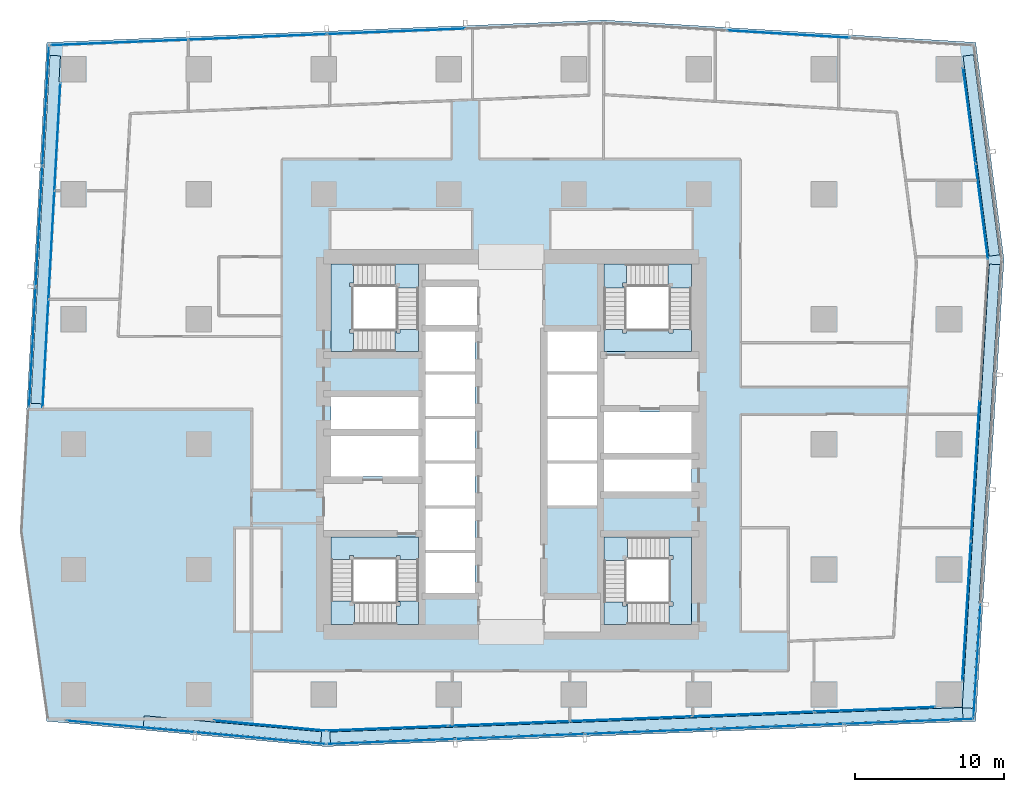
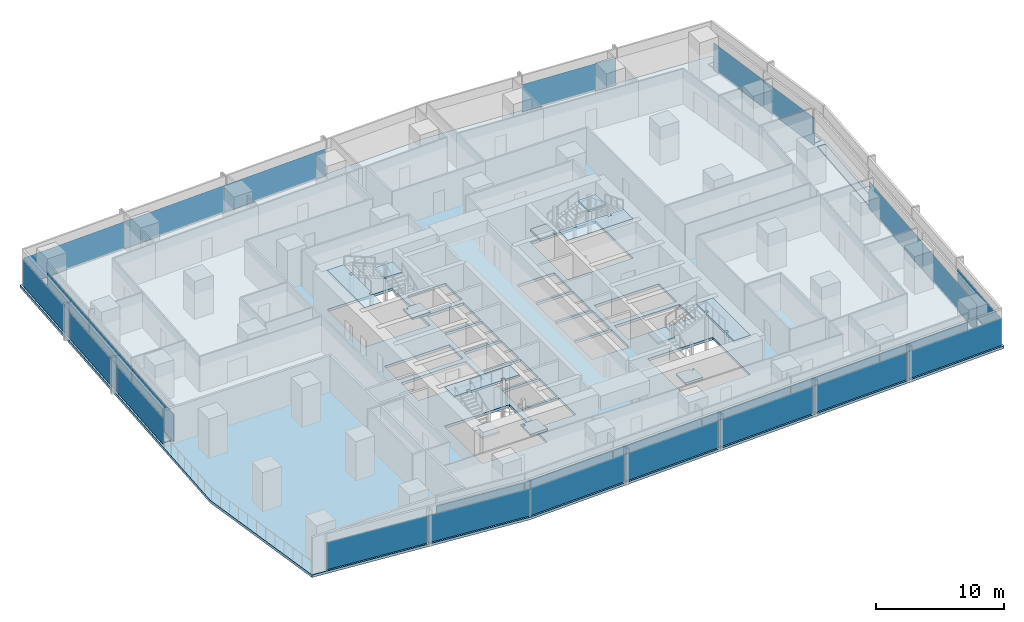
# One storey, part 25 of 38: 33 plates, 13 slabs, 15 elements without a shape of their own.
"""IFC4 building model written with IfcOpenShell, lengths in metres."""

from ifc_helpers import new_model, si_unit, direction, frame, origin, origin_2d, place, context, subcontext, project, spatial, polyline, rectangle, outline, extrude, material, layer, layer_set, type_object, element, aggregate, save


model = new_model("IFC4")

# Units and contexts
model_context = context("Model", 3, precision=1e-05, world=origin(), true_north=direction((0.0, 1.0)))
body_context = subcontext(model_context, "Body", "Model", "MODEL_VIEW")
ifc_project = project(units=[si_unit("LENGTHUNIT", "METRE"), si_unit("AREAUNIT", "SQUARE_METRE"), si_unit("VOLUMEUNIT", "CUBIC_METRE"), si_unit("PLANEANGLEUNIT", "RADIAN"), si_unit("MASSUNIT", "GRAM", prefix="KILO")], contexts=[model_context])

# Site, building, storey
site_placement = place(None, origin())
site = spatial("IfcSite", under=ifc_project, at=site_placement, CompositionType="ELEMENT")
building_placement = place(site_placement, origin())
building = spatial("IfcBuilding", under=site, at=building_placement, Name="Rekha Terrace Tower", CompositionType="ELEMENT")
storey_placement = place(building_placement, frame((0.0, 0.0, 114.050048828125)))
storey = spatial("IfcBuildingStorey", under=building, at=storey_placement, Name="L28", CompositionType="ELEMENT", Elevation=114.050048828125)

# Curtain wall, plate
ifc_material_1 = material(Name="Aluminium framing", Category="aluminium")
curtain_wall_type_1 = type_object("IfcCurtainWallType", Name="CW1 double skin inner glazing", PredefinedType="USERDEFINED", material=ifc_material_1)
curtain_wall_1_placement = place(storey_placement, origin())
curtain_wall_1 = element("IfcCurtainWall", 1, at=curtain_wall_1_placement, inside=storey, type_object=curtain_wall_type_1, Name="CW1 double skin inner glazing", ObjectType="DOUBLE SKIN INNER GLAZING", PredefinedType="USERDEFINED")
ifc_material_2 = material(Name="Double-glazed low-e unit 32", Category="glass")
ifc_layer_1 = layer(ifc_material_2, 0.031982421875)
ifc_layer_set_1 = layer_set([ifc_layer_1], Name="Double-glazed low-e unit 32")
plate_type_1 = type_object("IfcPlateType", Name="CW1 jumbo vision panel, double-glazed low-e unit 32", PredefinedType="CURTAIN_PANEL", material=ifc_layer_set_1)
plate_1_placement = place(storey_placement, frame((21.60205078125, 14.701904296875, 0.0), z_axis=(0.0, 0.0, 1.0), x_axis=(0.995901923143, -0.090439811364, 0.0)))
plate_1 = element("IfcPlate", 2, at=plate_1_placement, type_object=plate_type_1, Name="CW1 panel 1.1", PredefinedType="CURTAIN_PANEL", context=body_context, shape_type="SweptSolid", body=[
    extrude(rectangle(XDim=7.521484375, YDim=0.031982421875, at=origin_2d()), origin(), (0.0, 0.0, 1.0), 2.60009765625),
])
aggregate(curtain_wall_1, [plate_1])

# Curtain wall, plates
curtain_wall_2_placement = place(storey_placement, origin())
curtain_wall_2 = element("IfcCurtainWall", 3, at=curtain_wall_2_placement, inside=storey, type_object=curtain_wall_type_1, Name="CW1 double skin inner glazing", ObjectType="DOUBLE SKIN INNER GLAZING", PredefinedType="USERDEFINED")
plate_2_placement = place(storey_placement, frame((29.4619140625, 14.52197265625, 0.0), z_axis=(0.0, 0.0, 1.0), x_axis=(0.999243498917, 0.038889971345, 0.0)))
plate_2 = element("IfcPlate", 4, at=plate_2_placement, type_object=plate_type_1, Name="CW1 panel 1.1", PredefinedType="CURTAIN_PANEL", context=body_context, shape_type="SweptSolid", body=[
    extrude(rectangle(XDim=8.105224609375, YDim=0.031982421875, at=origin_2d()), origin(), (0.0, 0.0, 1.0), 2.60009765625),
])
plate_3_placement = place(storey_placement, frame((37.64208984375, 14.84033203125, 0.0), z_axis=(0.0, 0.0, 1.0), x_axis=(0.999243498917, 0.038889971345, 0.0)))
plate_3 = element("IfcPlate", 5, at=plate_3_placement, type_object=plate_type_1, Name="CW1 panel 2.1", PredefinedType="CURTAIN_PANEL", context=body_context, shape_type="SweptSolid", body=[
    extrude(rectangle(XDim=8.1376953125, YDim=0.031982421875, at=origin_2d()), origin(), (0.0, 0.0, 1.0), 2.60009765625),
])
plate_4_placement = place(storey_placement, frame((45.838623046875, 15.159423828125, 0.0), z_axis=(0.0, 0.0, 1.0), x_axis=(0.999243498917, 0.038889971345, 0.0)))
plate_4 = element("IfcPlate", 6, at=plate_4_placement, type_object=plate_type_1, Name="CW1 panel 3.1", PredefinedType="CURTAIN_PANEL", context=body_context, shape_type="SweptSolid", body=[
    extrude(rectangle(XDim=8.1376953125, YDim=0.031982421875, at=origin_2d()), origin(), (0.0, 0.0, 1.0), 2.60009765625),
])
plate_5_placement = place(storey_placement, frame((54.034912109375, 15.478271484375, 0.0), z_axis=(0.0, 0.0, 1.0), x_axis=(0.999243498917, 0.038889971345, 0.0)))
plate_5 = element("IfcPlate", 7, at=plate_5_placement, type_object=plate_type_1, Name="CW1 panel 4.1", PredefinedType="CURTAIN_PANEL", context=body_context, shape_type="SweptSolid", body=[
    extrude(rectangle(XDim=8.1376953125, YDim=0.031982421875, at=origin_2d()), origin(), (0.0, 0.0, 1.0), 2.60009765625),
])
plate_6_placement = place(storey_placement, frame((62.21533203125, 15.796630859375, 0.0), z_axis=(0.0, 0.0, 1.0), x_axis=(0.999243498917, 0.038889971345, 0.0)))
plate_6 = element("IfcPlate", 8, at=plate_6_placement, type_object=plate_type_1, Name="CW1 panel 5.1", PredefinedType="CURTAIN_PANEL", context=body_context, shape_type="SweptSolid", body=[
    extrude(rectangle(XDim=8.105224609375, YDim=0.031982421875, at=origin_2d()), origin(), (0.0, 0.0, 1.0), 2.60009765625),
])
aggregate(curtain_wall_2, [plate_2, plate_3, plate_4, plate_5, plate_6])

curtain_wall_3_placement = place(storey_placement, origin())
curtain_wall_3 = element("IfcCurtainWall", 9, at=curtain_wall_3_placement, inside=storey, type_object=curtain_wall_type_1, Name="CW1 double skin inner glazing", ObjectType="DOUBLE SKIN INNER GLAZING", PredefinedType="USERDEFINED")
plate_7_placement = place(storey_placement, frame((68.391357421875, 22.400634765625, 0.0), z_axis=(0.0, 0.0, 1.0), x_axis=(0.061159803131, 0.998127987024, 0.0)))
plate_7 = element("IfcPlate", 10, at=plate_7_placement, type_object=plate_type_1, Name="CW1 panel 1.1", PredefinedType="CURTAIN_PANEL", context=body_context, shape_type="SweptSolid", body=[
    extrude(rectangle(XDim=9.355224609375, YDim=0.031982421875, at=origin_2d()), origin(), (0.0, 0.0, 1.0), 2.60009765625),
])
plate_8_placement = place(storey_placement, frame((68.968505859375, 31.8193359375, 0.0), z_axis=(0.0, 0.0, 1.0), x_axis=(0.061159803131, 0.998127987024, 0.0)))
plate_8 = element("IfcPlate", 11, at=plate_8_placement, type_object=plate_type_1, Name="CW1 panel 2.1", PredefinedType="CURTAIN_PANEL", context=body_context, shape_type="SweptSolid", body=[
    extrude(rectangle(XDim=9.3876953125, YDim=0.031982421875, at=origin_2d()), origin(), (0.0, 0.0, 1.0), 2.60009765625),
])
aggregate(curtain_wall_3, [plate_7, plate_8])

curtain_wall_4_placement = place(storey_placement, origin())
curtain_wall_4 = element("IfcCurtainWall", 12, at=curtain_wall_4_placement, inside=storey, type_object=curtain_wall_type_1, Name="CW1 double skin inner glazing", ObjectType="DOUBLE SKIN INNER GLAZING", PredefinedType="USERDEFINED")
plate_9_placement = place(storey_placement, frame((69.411376953125, 49.230712890625, 0.0), z_axis=(0.0, 0.0, 1.0), x_axis=(-0.129118383675, 0.991629186237, 0.0)))
plate_9 = element("IfcPlate", 13, at=plate_9_placement, type_object=plate_type_1, Name="CW1 panel 1.1", PredefinedType="CURTAIN_PANEL", context=body_context, shape_type="SweptSolid", body=[
    extrude(rectangle(XDim=6.443115234375, YDim=0.031982421875, at=origin_2d()), origin(), (0.0, 0.0, 1.0), 2.60009765625),
])
plate_10_placement = place(storey_placement, frame((68.571044921875, 55.68408203125, 0.0), z_axis=(0.0, 0.0, 1.0), x_axis=(-0.129118383675, 0.991629186237, 0.0)))
plate_10 = element("IfcPlate", 14, at=plate_10_placement, type_object=plate_type_1, Name="CW1 panel 2.1", PredefinedType="CURTAIN_PANEL", context=body_context, shape_type="SweptSolid", body=[
    extrude(rectangle(XDim=6.443115234375, YDim=0.031982421875, at=origin_2d()), origin(), (0.0, 0.0, 1.0), 2.60009765625),
])
aggregate(curtain_wall_4, [plate_9, plate_10])

curtain_wall_5_placement = place(storey_placement, origin())
curtain_wall_5 = element("IfcCurtainWall", 15, at=curtain_wall_5_placement, inside=storey, type_object=curtain_wall_type_1, Name="CW1 double skin inner glazing", ObjectType="DOUBLE SKIN INNER GLAZING", PredefinedType="USERDEFINED")
plate_11_placement = place(storey_placement, frame((7.314453125, 54.267578125, 0.0), z_axis=(0.0, 0.0, 1.0), x_axis=(-0.05474235269, -0.998500513181, 0.0)))
plate_11 = element("IfcPlate", 16, at=plate_11_placement, type_object=plate_type_1, Name="CW1 panel 1.1", PredefinedType="CURTAIN_PANEL", context=body_context, shape_type="SweptSolid", body=[
    extrude(rectangle(XDim=7.209716796875, YDim=0.031982421875, at=origin_2d()), origin(), (0.0, 0.0, 1.0), 2.60009765625),
])
plate_12_placement = place(storey_placement, frame((6.915283203125, 46.987548828125, 0.0), z_axis=(0.0, 0.0, 1.0), x_axis=(-0.05474235269, -0.998500513181, 0.0)))
plate_12 = element("IfcPlate", 17, at=plate_12_placement, type_object=plate_type_1, Name="CW1 panel 2.1", PredefinedType="CURTAIN_PANEL", context=body_context, shape_type="SweptSolid", body=[
    extrude(rectangle(XDim=7.2421875, YDim=0.031982421875, at=origin_2d()), origin(), (0.0, 0.0, 1.0), 2.60009765625),
])
plate_13_placement = place(storey_placement, frame((6.51611328125, 39.707275390625, 0.0), z_axis=(0.0, 0.0, 1.0), x_axis=(-0.05474235269, -0.998500513181, 0.0)))
plate_13 = element("IfcPlate", 18, at=plate_13_placement, type_object=plate_type_1, Name="CW1 panel 3.1", PredefinedType="CURTAIN_PANEL", context=body_context, shape_type="SweptSolid", body=[
    extrude(rectangle(XDim=7.209716796875, YDim=0.031982421875, at=origin_2d()), origin(), (0.0, 0.0, 1.0), 2.60009765625),
])
aggregate(curtain_wall_5, [plate_11, plate_12, plate_13])

curtain_wall_type_2 = type_object("IfcCurtainWallType", Name="CW2 double skin outer glazing", PredefinedType="USERDEFINED", material=ifc_material_1)
curtain_wall_6_placement = place(storey_placement, origin())
curtain_wall_6 = element("IfcCurtainWall", 19, at=curtain_wall_6_placement, inside=storey, type_object=curtain_wall_type_2, Name="CW2 double skin outer glazing", ObjectType="DOUBLE SKIN OUTER GLAZING", PredefinedType="USERDEFINED")
ifc_material_3 = material(Name="Toughened single glazing 12", Category="glass")
ifc_layer_2 = layer(ifc_material_3, 0.011962890625)
ifc_layer_set_2 = layer_set([ifc_layer_2], Name="Toughened single glazing 12")
plate_type_2 = type_object("IfcPlateType", Name="CW2 jumbo vision panel, toughened single glazing 12", PredefinedType="CURTAIN_PANEL", material=ifc_layer_set_2)
plate_14_placement = place(storey_placement, frame((12.2314453125, 14.649169921875, 0.0), z_axis=(0.0, 0.0, 1.0), x_axis=(0.995901923139, -0.090439811416, 0.0)))
plate_14 = element("IfcPlate", 20, at=plate_14_placement, type_object=plate_type_2, Name="CW2 panel 1.1", PredefinedType="CURTAIN_PANEL", context=body_context, shape_type="SweptSolid", body=[
    extrude(rectangle(XDim=8.65771484375, YDim=0.011962890625, at=origin_2d()), origin(), (0.0, 0.0, 1.0), 2.60009765625),
])
plate_15_placement = place(storey_placement, frame((20.97314453125, 13.85546875, 0.0), z_axis=(0.0, 0.0, 1.0), x_axis=(0.995901923139, -0.090439811416, 0.0)))
plate_15 = element("IfcPlate", 21, at=plate_15_placement, type_object=plate_type_2, Name="CW2 panel 2.1", PredefinedType="CURTAIN_PANEL", context=body_context, shape_type="SweptSolid", body=[
    extrude(rectangle(XDim=8.73779296875, YDim=0.011962890625, at=origin_2d()), origin(), (0.0, 0.0, 1.0), 2.60009765625),
])
aggregate(curtain_wall_6, [plate_14, plate_15])

curtain_wall_7_placement = place(storey_placement, origin())
curtain_wall_7 = element("IfcCurtainWall", 22, at=curtain_wall_7_placement, inside=storey, type_object=curtain_wall_type_2, Name="CW2 double skin outer glazing", ObjectType="DOUBLE SKIN OUTER GLAZING", PredefinedType="USERDEFINED")
plate_16_placement = place(storey_placement, frame((29.696533203125, 13.63037109375, 0.0), z_axis=(0.0, 0.0, 1.0), x_axis=(0.999243498917, 0.038889971345, 0.0)))
plate_16 = element("IfcPlate", 23, at=plate_16_placement, type_object=plate_type_2, Name="CW2 panel 1.1", PredefinedType="CURTAIN_PANEL", context=body_context, shape_type="SweptSolid", body=[
    extrude(rectangle(XDim=8.591552734375, YDim=0.011962890625, at=origin_2d()), origin(), (0.0, 0.0, 1.0), 2.60009765625),
])
plate_17_placement = place(storey_placement, frame((38.381591796875, 13.968505859375, 0.0), z_axis=(0.0, 0.0, 1.0), x_axis=(0.999243498917, 0.038889971345, 0.0)))
plate_17 = element("IfcPlate", 24, at=plate_17_placement, type_object=plate_type_2, Name="CW2 panel 2.1", PredefinedType="CURTAIN_PANEL", context=body_context, shape_type="SweptSolid", body=[
    extrude(rectangle(XDim=8.631591796875, YDim=0.011962890625, at=origin_2d()), origin(), (0.0, 0.0, 1.0), 2.60009765625),
])
plate_18_placement = place(storey_placement, frame((47.086669921875, 14.307373046875, 0.0), z_axis=(0.0, 0.0, 1.0), x_axis=(0.999243498917, 0.038889971345, 0.0)))
plate_18 = element("IfcPlate", 25, at=plate_18_placement, type_object=plate_type_2, Name="CW2 panel 3.1", PredefinedType="CURTAIN_PANEL", context=body_context, shape_type="SweptSolid", body=[
    extrude(rectangle(XDim=8.631591796875, YDim=0.011962890625, at=origin_2d()), origin(), (0.0, 0.0, 1.0), 2.60009765625),
])
plate_19_placement = place(storey_placement, frame((55.791748046875, 14.64599609375, 0.0), z_axis=(0.0, 0.0, 1.0), x_axis=(0.999243498917, 0.038889971345, 0.0)))
plate_19 = element("IfcPlate", 26, at=plate_19_placement, type_object=plate_type_2, Name="CW2 panel 4.1", PredefinedType="CURTAIN_PANEL", context=body_context, shape_type="SweptSolid", body=[
    extrude(rectangle(XDim=8.631591796875, YDim=0.011962890625, at=origin_2d()), origin(), (0.0, 0.0, 1.0), 2.60009765625),
])
plate_20_placement = place(storey_placement, frame((64.5166015625, 14.985595703125, 0.0), z_axis=(0.0, 0.0, 1.0), x_axis=(0.999243498917, 0.038889971345, 0.0)))
plate_20 = element("IfcPlate", 27, at=plate_20_placement, type_object=plate_type_2, Name="CW2 panel 5.1", PredefinedType="CURTAIN_PANEL", context=body_context, shape_type="SweptSolid", body=[
    extrude(rectangle(XDim=8.671630859375, YDim=0.011962890625, at=origin_2d()), origin(), (0.0, 0.0, 1.0), 2.60009765625),
])
aggregate(curtain_wall_7, [plate_16, plate_17, plate_18, plate_19, plate_20])

# Curtain wall, plate
curtain_wall_8_placement = place(storey_placement, origin())
curtain_wall_8 = element("IfcCurtainWall", 28, at=curtain_wall_8_placement, inside=storey, type_object=curtain_wall_type_2, Name="CW2 double skin outer glazing", ObjectType="DOUBLE SKIN OUTER GLAZING", PredefinedType="USERDEFINED")
plate_21_placement = place(storey_placement, frame((69.086669921875, 19.0302734375, 0.0), z_axis=(0.0, 0.0, 1.0), x_axis=(0.061159803131, 0.998127987024, 0.0)))
plate_21 = element("IfcPlate", 29, at=plate_21_placement, type_object=plate_type_2, Name="CW2 panel 1.1", PredefinedType="CURTAIN_PANEL", context=body_context, shape_type="SweptSolid", body=[
    extrude(rectangle(XDim=7.6064453125, YDim=0.011962890625, at=origin_2d()), origin(), (0.0, 0.0, 1.0), 2.60009765625),
])
aggregate(curtain_wall_8, [plate_21])

# Curtain wall, plates
curtain_wall_9_placement = place(storey_placement, origin())
curtain_wall_9 = element("IfcCurtainWall", 30, at=curtain_wall_9_placement, inside=storey, type_object=curtain_wall_type_2, Name="CW2 double skin outer glazing", ObjectType="DOUBLE SKIN OUTER GLAZING", PredefinedType="USERDEFINED")
plate_22_placement = place(storey_placement, frame((6.52783203125, 56.35888671875, 0.0), z_axis=(0.0, 0.0, 1.0), x_axis=(-0.054742352707, -0.99850051318, 0.0)))
plate_22 = element("IfcPlate", 31, at=plate_22_placement, type_object=plate_type_2, Name="CW2 panel 1.1", PredefinedType="CURTAIN_PANEL", context=body_context, shape_type="SweptSolid", body=[
    extrude(rectangle(XDim=8.026611328125, YDim=0.011962890625, at=origin_2d()), origin(), (0.0, 0.0, 1.0), 2.60009765625),
])
plate_23_placement = place(storey_placement, frame((6.082763671875, 48.244384765625, 0.0), z_axis=(0.0, 0.0, 1.0), x_axis=(-0.054742352707, -0.99850051318, 0.0)))
plate_23 = element("IfcPlate", 32, at=plate_23_placement, type_object=plate_type_2, Name="CW2 panel 2.1", PredefinedType="CURTAIN_PANEL", context=body_context, shape_type="SweptSolid", body=[
    extrude(rectangle(XDim=8.066650390625, YDim=0.011962890625, at=origin_2d()), origin(), (0.0, 0.0, 1.0), 2.60009765625),
])
plate_24_placement = place(storey_placement, frame((5.637939453125, 40.130126953125, 0.0), z_axis=(0.0, 0.0, 1.0), x_axis=(-0.054742352707, -0.99850051318, 0.0)))
plate_24 = element("IfcPlate", 33, at=plate_24_placement, type_object=plate_type_2, Name="CW2 panel 3.1", PredefinedType="CURTAIN_PANEL", context=body_context, shape_type="SweptSolid", body=[
    extrude(rectangle(XDim=8.026611328125, YDim=0.011962890625, at=origin_2d()), origin(), (0.0, 0.0, 1.0), 2.60009765625),
])
aggregate(curtain_wall_9, [plate_22, plate_23, plate_24])

# Curtain wall, plate
curtain_wall_type_3 = type_object("IfcCurtainWallType", Name="CW3 north unitised glazing", PredefinedType="USERDEFINED", material=ifc_material_1)
curtain_wall_10_placement = place(storey_placement, origin())
curtain_wall_10 = element("IfcCurtainWall", 34, at=curtain_wall_10_placement, inside=storey, type_object=curtain_wall_type_3, Name="CW3 unitised curtain wall", ObjectType="UNITISED CURTAIN WALL", PredefinedType="USERDEFINED")
ifc_material_4 = material(Name="Double-glazed unit 28", Category="glass")
ifc_layer_3 = layer(ifc_material_4, 0.028076171875)
ifc_layer_set_3 = layer_set([ifc_layer_3], Name="Double-glazed unit 28")
plate_type_3 = type_object("IfcPlateType", Name="CW3 jumbo vision panel, double-glazed unit 28", PredefinedType="CURTAIN_PANEL", material=ifc_layer_set_3)
plate_25_placement = place(storey_placement, frame((56.430419921875, 61.155029296875, 0.0), z_axis=(0.0, 0.0, 1.0), x_axis=(-0.998199102701, 0.059987926837, 0.0)))
plate_25 = element("IfcPlate", 35, at=plate_25_placement, type_object=plate_type_3, Name="CW3 panel 2.1", PredefinedType="CURTAIN_PANEL", context=body_context, shape_type="SweptSolid", body=[
    extrude(rectangle(XDim=8.20654296875, YDim=0.028076171875, at=origin_2d()), origin(), (0.0, 0.0, 1.0), 2.60009765625),
])
aggregate(curtain_wall_10, [plate_25])

# Curtain wall, plates
curtain_wall_11_placement = place(storey_placement, origin())
curtain_wall_11 = element("IfcCurtainWall", 36, at=curtain_wall_11_placement, inside=storey, type_object=curtain_wall_type_3, Name="CW3 unitised curtain wall", ObjectType="UNITISED CURTAIN WALL", PredefinedType="USERDEFINED")
plate_26_placement = place(storey_placement, frame((30.06982421875, 61.340087890625, 0.0), z_axis=(0.0, 0.0, 1.0), x_axis=(-0.999198398721, -0.040031987119, 0.0)))
plate_26 = element("IfcPlate", 37, at=plate_26_placement, type_object=plate_type_3, Name="CW3 panel 2.1", PredefinedType="CURTAIN_PANEL", context=body_context, shape_type="SweptSolid", body=[
    extrude(rectangle(XDim=9.24951171875, YDim=0.028076171875, at=origin_2d()), origin(), (0.0, 0.0, 1.0), 2.60009765625),
])
plate_27_placement = place(storey_placement, frame((20.7578125, 60.967041015625, 0.0), z_axis=(0.0, 0.0, 1.0), x_axis=(-0.999198398721, -0.040031987119, 0.0)))
plate_27 = element("IfcPlate", 38, at=plate_27_placement, type_object=plate_type_3, Name="CW3 panel 3.1", PredefinedType="CURTAIN_PANEL", context=body_context, shape_type="SweptSolid", body=[
    extrude(rectangle(XDim=9.24951171875, YDim=0.028076171875, at=origin_2d()), origin(), (0.0, 0.0, 1.0), 2.60009765625),
])
plate_28_placement = place(storey_placement, frame((11.46337890625, 60.5947265625, 0.0), z_axis=(0.0, 0.0, 1.0), x_axis=(-0.999198398721, -0.040031987119, 0.0)))
plate_28 = element("IfcPlate", 39, at=plate_28_placement, type_object=plate_type_3, Name="CW3 panel 4.1", PredefinedType="CURTAIN_PANEL", context=body_context, shape_type="SweptSolid", body=[
    extrude(rectangle(XDim=9.214599609375, YDim=0.028076171875, at=origin_2d()), origin(), (0.0, 0.0, 1.0), 2.60009765625),
])
aggregate(curtain_wall_11, [plate_26, plate_27, plate_28])

# Plates
ifc_material_5 = material(Name="Galvanised steel open grating", Category="steel")
ifc_layer_4 = layer(ifc_material_5, 0.050048828125)
ifc_layer_set_4 = layer_set([ifc_layer_4], Name="Galvanised steel open grating")
plate_type_4 = type_object("IfcPlateType", Name="GT1 cavity walkway grating 50", PredefinedType="USERDEFINED", material=ifc_layer_set_4)
plate_29_placement = place(storey_placement, frame((19.075927734375, 14.4794921875, 0.0), z_axis=(0.0, 0.0, 1.0), x_axis=(0.99590192314, -0.090439811399, 0.0)))
element("IfcPlate", 40, at=plate_29_placement, inside=storey, type_object=plate_type_4, Name="Cavity walkway grating", ObjectType="CAVITY WALKWAY GRATING", PredefinedType="USERDEFINED", context=body_context, shape_type="SweptSolid", body=[
    extrude(rectangle(XDim=11.970947265625, YDim=0.705078125, at=origin_2d()), origin(), (0.0, 0.0, 1.0), 0.050048828125),
])
plate_30_placement = place(storey_placement, frame((46.88037109375, 14.74951171875, 0.0), z_axis=(0.0, 0.0, 1.0), x_axis=(0.999243498917, 0.038889971345, 0.0)))
element("IfcPlate", 41, at=plate_30_placement, inside=storey, type_object=plate_type_4, Name="Cavity walkway grating", ObjectType="CAVITY WALKWAY GRATING", PredefinedType="USERDEFINED", context=body_context, shape_type="SweptSolid", body=[
    extrude(rectangle(XDim=42.521728515625, YDim=0.705078125, at=origin_2d()), origin(), (0.0, 0.0, 1.0), 0.050048828125),
])
plate_31_placement = place(storey_placement, frame((69.356201171875, 30.78759765625, 0.0), z_axis=(0.0, 0.0, 1.0), x_axis=(0.061159803131, 0.998127987024, 0.0)))
element("IfcPlate", 42, at=plate_31_placement, inside=storey, type_object=plate_type_4, Name="Cavity walkway grating", ObjectType="CAVITY WALKWAY GRATING", PredefinedType="USERDEFINED", context=body_context, shape_type="SweptSolid", body=[
    extrude(rectangle(XDim=29.85595703125, YDim=0.705078125, at=origin_2d()), origin(), (0.0, 0.0, 1.0), 0.050048828125),
])
plate_32_placement = place(storey_placement, frame((69.373779296875, 53.004150390625, 0.0), z_axis=(0.0, 0.0, 1.0), x_axis=(-0.129118383623, 0.991629186244, 0.0)))
element("IfcPlate", 43, at=plate_32_placement, inside=storey, type_object=plate_type_4, Name="Cavity walkway grating", ObjectType="CAVITY WALKWAY GRATING", PredefinedType="USERDEFINED", context=body_context, shape_type="SweptSolid", body=[
    extrude(rectangle(XDim=13.552734375, YDim=0.705078125, at=origin_2d()), origin(), (0.0, 0.0, 1.0), 0.050048828125),
])
plate_33_placement = place(storey_placement, frame((6.521728515625, 48.02783203125, 0.0), z_axis=(0.0, 0.0, 1.0), x_axis=(-0.05474235269, -0.998500513181, 0.0)))
element("IfcPlate", 44, at=plate_33_placement, inside=storey, type_object=plate_type_4, Name="Cavity walkway grating", ObjectType="CAVITY WALKWAY GRATING", PredefinedType="USERDEFINED", context=body_context, shape_type="SweptSolid", body=[
    extrude(rectangle(XDim=23.40576171875, YDim=0.705078125, at=origin_2d()), origin(), (0.0, 0.0, 1.0), 0.050048828125),
])

# Stair, slabs
ifc_material_6 = material(Name="Concrete M40", Category="concrete")
stair_type = type_object("IfcStairType", Name="ST30 stair, 30 risers of 125, going 310, 1500 wide flights, 3 flights", PredefinedType="HALF_TURN_STAIR", material=ifc_material_6)
stair_1_placement = place(storey_placement, origin())
stair_1 = element("IfcStair", 45, at=stair_1_placement, inside=storey, type_object=stair_type, Name="Stair ST1 L28 to L29", PredefinedType="HALF_TURN_STAIR")
ifc_layer_5 = layer(ifc_material_6, 0.199951171875)
ifc_layer_set_5 = layer_set([ifc_layer_5], Name="Concrete M40")
slab_type_1 = type_object("IfcSlabType", Name="LD1 200 concrete stair landing", PredefinedType="LANDING", material=ifc_layer_set_5)
slab_1_placement = place(storey_placement, frame((0.0, 0.0, 1.050048828125)))
slab_1 = element("IfcSlab", 46, at=slab_1_placement, type_object=slab_type_1, Name="ST1 landing 1", PredefinedType="LANDING", context=body_context, shape_type="SweptSolid", body=[
    extrude(outline(polyline([(30.074951171875, 21.5), (31.574951171875, 21.5), (31.574951171875, 23.0849609375), (30.074951171875, 23.0849609375), (30.074951171875, 23.0), (30.324951171875, 23.0), (30.324951171875, 22.75), (30.074951171875, 22.75), (30.074951171875, 21.5)])), origin(), (0.0, 0.0, 1.0), 0.199951171875),
])
slab_2_placement = place(storey_placement, frame((0.0, 0.0, 2.300048828125)))
slab_2 = element("IfcSlab", 47, at=slab_2_placement, type_object=slab_type_1, Name="ST1 landing 2", PredefinedType="LANDING", context=body_context, shape_type="SweptSolid", body=[
    extrude(outline(polyline([(27.199951171875, 23.0849609375), (25.699951171875, 23.0849609375), (25.699951171875, 21.5), (27.284912109375, 21.5), (27.284912109375, 23.0), (27.199951171875, 23.0), (27.199951171875, 23.0849609375)])), origin(), (0.0, 0.0, 1.0), 0.199951171875),
])
slab_3_placement = place(storey_placement, frame((0.0, 0.0, 3.550048828125)))
slab_3 = element("IfcSlab", 48, at=slab_3_placement, type_object=slab_type_1, Name="ST1 landing 3", PredefinedType="LANDING", context=body_context, shape_type="SweptSolid", body=[
    extrude(outline(polyline([(31.574951171875, 25.875), (31.574951171875, 27.375), (25.699951171875, 27.375), (25.699951171875, 25.875), (26.949951171875, 25.875), (26.949951171875, 26.125), (27.199951171875, 26.125), (27.199951171875, 25.875), (30.074951171875, 25.875), (30.074951171875, 26.125), (30.324951171875, 26.125), (30.324951171875, 25.875), (31.574951171875, 25.875)])), origin(), (0.0, 0.0, 1.0), 0.199951171875),
])
aggregate(stair_1, [slab_1, slab_2, slab_3])

stair_2_placement = place(storey_placement, origin())
stair_2 = element("IfcStair", 49, at=stair_2_placement, inside=storey, type_object=stair_type, Name="Stair ST2 L28 to L29", PredefinedType="HALF_TURN_STAIR")
slab_4_placement = place(storey_placement, frame((0.0, 0.0, 1.050048828125)))
slab_4 = element("IfcSlab", 50, at=slab_4_placement, type_object=slab_type_1, Name="ST2 landing 1", PredefinedType="LANDING", context=body_context, shape_type="SweptSolid", body=[
    extrude(outline(polyline([(45.52490234375, 45.699951171875), (44.02490234375, 45.699951171875), (44.02490234375, 44.114990234375), (45.52490234375, 44.114990234375), (45.52490234375, 44.199951171875), (45.27490234375, 44.199951171875), (45.27490234375, 44.449951171875), (45.52490234375, 44.449951171875), (45.52490234375, 45.699951171875)])), origin(), (0.0, 0.0, 1.0), 0.199951171875),
])
slab_5_placement = place(storey_placement, frame((0.0, 0.0, 2.300048828125)))
slab_5 = element("IfcSlab", 51, at=slab_5_placement, type_object=slab_type_1, Name="ST2 landing 2", PredefinedType="LANDING", context=body_context, shape_type="SweptSolid", body=[
    extrude(outline(polyline([(48.39990234375, 44.114990234375), (49.89990234375, 44.114990234375), (49.89990234375, 45.699951171875), (48.31494140625, 45.699951171875), (48.31494140625, 44.199951171875), (48.39990234375, 44.199951171875), (48.39990234375, 44.114990234375)])), origin(), (0.0, 0.0, 1.0), 0.199951171875),
])
slab_6_placement = place(storey_placement, frame((0.0, 0.0, 3.550048828125)))
slab_6 = element("IfcSlab", 52, at=slab_6_placement, type_object=slab_type_1, Name="ST2 landing 3", PredefinedType="LANDING", context=body_context, shape_type="SweptSolid", body=[
    extrude(outline(polyline([(44.02490234375, 41.324951171875), (44.02490234375, 39.824951171875), (49.89990234375, 39.824951171875), (49.89990234375, 41.324951171875), (48.64990234375, 41.324951171875), (48.64990234375, 41.074951171875), (48.39990234375, 41.074951171875), (48.39990234375, 41.324951171875), (45.52490234375, 41.324951171875), (45.52490234375, 41.074951171875), (45.27490234375, 41.074951171875), (45.27490234375, 41.324951171875), (44.02490234375, 41.324951171875)])), origin(), (0.0, 0.0, 1.0), 0.199951171875),
])
aggregate(stair_2, [slab_4, slab_5, slab_6])

stair_3_placement = place(storey_placement, origin())
stair_3 = element("IfcStair", 53, at=stair_3_placement, inside=storey, type_object=stair_type, Name="Stair ST3 L28 to L29", PredefinedType="HALF_TURN_STAIR")
slab_7_placement = place(storey_placement, frame((0.0, 0.0, 1.050048828125)))
slab_7 = element("IfcSlab", 54, at=slab_7_placement, type_object=slab_type_1, Name="ST3 landing 1", PredefinedType="LANDING", context=body_context, shape_type="SweptSolid", body=[
    extrude(outline(polyline([(44.02490234375, 23.0), (44.02490234375, 21.5), (45.610107421875, 21.5), (45.610107421875, 23.0), (45.52490234375, 23.0), (45.52490234375, 22.75), (45.27490234375, 22.75), (45.27490234375, 23.0), (44.02490234375, 23.0)])), origin(), (0.0, 0.0, 1.0), 0.199951171875),
])
slab_8_placement = place(storey_placement, frame((0.0, 0.0, 2.300048828125)))
slab_8 = element("IfcSlab", 55, at=slab_8_placement, type_object=slab_type_1, Name="ST3 landing 2", PredefinedType="LANDING", context=body_context, shape_type="SweptSolid", body=[
    extrude(outline(polyline([(45.610107421875, 25.875), (45.610107421875, 27.375), (44.02490234375, 27.375), (44.02490234375, 25.7900390625), (45.52490234375, 25.7900390625), (45.52490234375, 25.875), (45.610107421875, 25.875)])), origin(), (0.0, 0.0, 1.0), 0.199951171875),
])
slab_9_placement = place(storey_placement, frame((0.0, 0.0, 3.550048828125)))
slab_9 = element("IfcSlab", 56, at=slab_9_placement, type_object=slab_type_1, Name="ST3 landing 3", PredefinedType="LANDING", context=body_context, shape_type="SweptSolid", body=[
    extrude(outline(polyline([(48.39990234375, 21.5), (49.89990234375, 21.5), (49.89990234375, 27.375), (48.39990234375, 27.375), (48.39990234375, 26.125), (48.64990234375, 26.125), (48.64990234375, 25.875), (48.39990234375, 25.875), (48.39990234375, 23.0), (48.64990234375, 23.0), (48.64990234375, 22.75), (48.39990234375, 22.75), (48.39990234375, 21.5)])), origin(), (0.0, 0.0, 1.0), 0.199951171875),
])
aggregate(stair_3, [slab_7, slab_8, slab_9])

stair_4_placement = place(storey_placement, origin())
stair_4 = element("IfcStair", 57, at=stair_4_placement, inside=storey, type_object=stair_type, Name="Stair ST4 L28 to L29", PredefinedType="HALF_TURN_STAIR")
slab_10_placement = place(storey_placement, frame((0.0, 0.0, 1.050048828125)))
slab_10 = element("IfcSlab", 58, at=slab_10_placement, type_object=slab_type_1, Name="ST4 landing 1", PredefinedType="LANDING", context=body_context, shape_type="SweptSolid", body=[
    extrude(outline(polyline([(31.574951171875, 41.324951171875), (31.574951171875, 39.824951171875), (29.989990234375, 39.824951171875), (29.989990234375, 41.324951171875), (30.074951171875, 41.324951171875), (30.074951171875, 41.074951171875), (30.324951171875, 41.074951171875), (30.324951171875, 41.324951171875), (31.574951171875, 41.324951171875)])), origin(), (0.0, 0.0, 1.0), 0.199951171875),
])
slab_11_placement = place(storey_placement, frame((0.0, 0.0, 2.300048828125)))
slab_11 = element("IfcSlab", 59, at=slab_11_placement, type_object=slab_type_1, Name="ST4 landing 2", PredefinedType="LANDING", context=body_context, shape_type="SweptSolid", body=[
    extrude(outline(polyline([(29.989990234375, 44.199951171875), (29.989990234375, 45.699951171875), (31.574951171875, 45.699951171875), (31.574951171875, 44.114990234375), (30.074951171875, 44.114990234375), (30.074951171875, 44.199951171875), (29.989990234375, 44.199951171875)])), origin(), (0.0, 0.0, 1.0), 0.199951171875),
])
slab_12_placement = place(storey_placement, frame((0.0, 0.0, 3.550048828125)))
slab_12 = element("IfcSlab", 60, at=slab_12_placement, type_object=slab_type_1, Name="ST4 landing 3", PredefinedType="LANDING", context=body_context, shape_type="SweptSolid", body=[
    extrude(outline(polyline([(27.199951171875, 39.824951171875), (25.699951171875, 39.824951171875), (25.699951171875, 45.699951171875), (27.199951171875, 45.699951171875), (27.199951171875, 44.449951171875), (26.949951171875, 44.449951171875), (26.949951171875, 44.199951171875), (27.199951171875, 44.199951171875), (27.199951171875, 41.324951171875), (26.949951171875, 41.324951171875), (26.949951171875, 41.074951171875), (27.199951171875, 41.074951171875), (27.199951171875, 39.824951171875)])), origin(), (0.0, 0.0, 1.0), 0.199951171875),
])
aggregate(stair_4, [slab_10, slab_11, slab_12])

# Slab
ifc_material_7 = material(Name="Concrete M50", Category="concrete")
ifc_layer_6 = layer(ifc_material_7, 0.25)
ifc_layer_set_6 = layer_set([ifc_layer_6], Name="Concrete M50")
slab_type_2 = type_object("IfcSlabType", Name="SL4 250 post-tensioned flat plate", PredefinedType="FLOOR", material=ifc_layer_set_6)
slab_13_placement = place(storey_placement, frame((0.0, 0.0, -0.25)))
element("IfcSlab", 61, at=slab_13_placement, inside=storey, type_object=slab_type_2, Name="Post-tensioned flat plate L28", PredefinedType="FLOOR", context=body_context, shape_type="SweptSolid", body=[
    extrude(outline(polyline([(4.800048828125, 27.76806640625), (6.60009765625, 15.0), (25.320068359375, 13.300048828125), (69.0, 15.0), (70.89990234375, 46.008056640625), (69.0, 60.60009765625), (44.0400390625, 62.10009765625), (6.60009765625, 60.60009765625), (4.800048828125, 27.76806640625)]), holes=[polyline([(31.574951171875, 27.375), (31.574951171875, 21.5), (25.699951171875, 21.5), (25.699951171875, 27.375), (31.574951171875, 27.375)]), polyline([(35.375, 26.300048828125), (35.375, 23.625), (32.02490234375, 23.625), (32.02490234375, 26.300048828125), (35.375, 26.300048828125)]), polyline([(35.375, 29.300048828125), (35.375, 26.5), (32.02490234375, 26.5), (32.02490234375, 29.300048828125), (35.375, 29.300048828125)]), polyline([(35.375, 32.300048828125), (35.375, 29.5), (32.02490234375, 29.5), (32.02490234375, 32.300048828125), (35.375, 32.300048828125)]), polyline([(31.574951171875, 34.175048828125), (31.574951171875, 31.425048828125), (25.699951171875, 31.425048828125), (25.699951171875, 34.175048828125), (31.574951171875, 34.175048828125)]), polyline([(35.375, 35.300048828125), (35.375, 32.5), (32.02490234375, 32.5), (32.02490234375, 35.300048828125), (35.375, 35.300048828125)]), polyline([(31.574951171875, 36.77490234375), (31.574951171875, 34.625), (25.699951171875, 34.625), (25.699951171875, 36.77490234375), (31.574951171875, 36.77490234375)]), polyline([(35.375, 35.5), (32.02490234375, 35.5), (32.02490234375, 38.300048828125), (35.375, 38.300048828125), (35.375, 35.5)]), polyline([(35.375, 38.5), (32.02490234375, 38.5), (32.02490234375, 41.175048828125), (35.375, 41.175048828125), (35.375, 38.5)]), polyline([(31.574951171875, 45.699951171875), (31.574951171875, 39.824951171875), (25.699951171875, 39.824951171875), (25.699951171875, 45.699951171875), (31.574951171875, 45.699951171875)]), polyline([(49.89990234375, 27.375), (49.89990234375, 21.5), (44.02490234375, 21.5), (44.02490234375, 27.375), (49.89990234375, 27.375)]), polyline([(43.574951171875, 32.300048828125), (43.574951171875, 29.5), (40.22509765625, 29.5), (40.22509765625, 32.300048828125), (43.574951171875, 32.300048828125)]), polyline([(49.89990234375, 30.425048828125), (44.02490234375, 30.425048828125), (44.02490234375, 32.574951171875), (49.89990234375, 32.574951171875), (49.89990234375, 30.425048828125)]), polyline([(43.574951171875, 32.5), (40.22509765625, 32.5), (40.22509765625, 35.300048828125), (43.574951171875, 35.300048828125), (43.574951171875, 32.5)]), polyline([(49.89990234375, 35.77490234375), (49.89990234375, 33.02490234375), (44.02490234375, 33.02490234375), (44.02490234375, 35.77490234375), (49.89990234375, 35.77490234375)]), polyline([(43.574951171875, 38.300048828125), (43.574951171875, 35.5), (40.22509765625, 35.5), (40.22509765625, 38.300048828125), (43.574951171875, 38.300048828125)]), polyline([(43.574951171875, 41.175048828125), (43.574951171875, 38.5), (40.22509765625, 38.5), (40.22509765625, 41.175048828125), (43.574951171875, 41.175048828125)]), polyline([(49.89990234375, 39.824951171875), (44.02490234375, 39.824951171875), (44.02490234375, 45.699951171875), (49.89990234375, 45.699951171875), (49.89990234375, 39.824951171875)]), polyline([(35.5, 41.625), (32.02490234375, 41.625), (32.02490234375, 44.175048828125), (35.5, 44.175048828125), (35.5, 41.625)])]), origin(), (0.0, 0.0, 1.0), 0.25),
])

save(model, "model.ifc")
